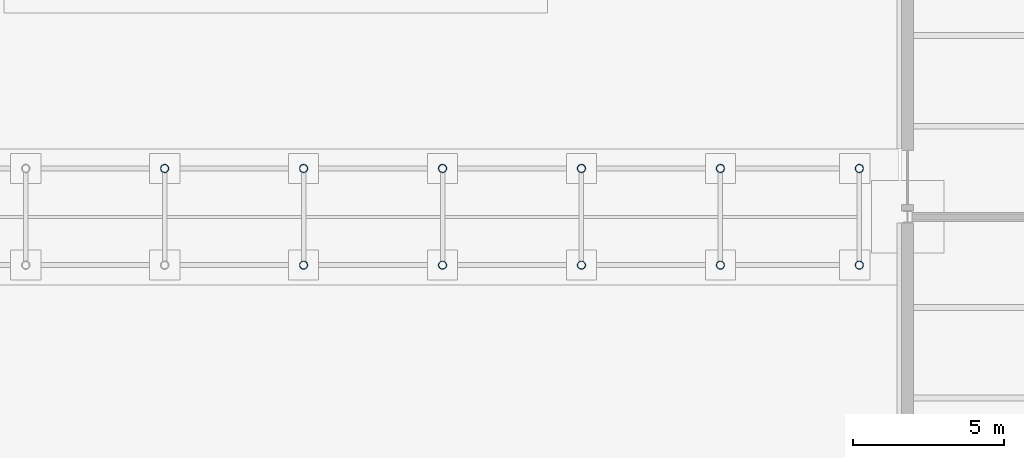
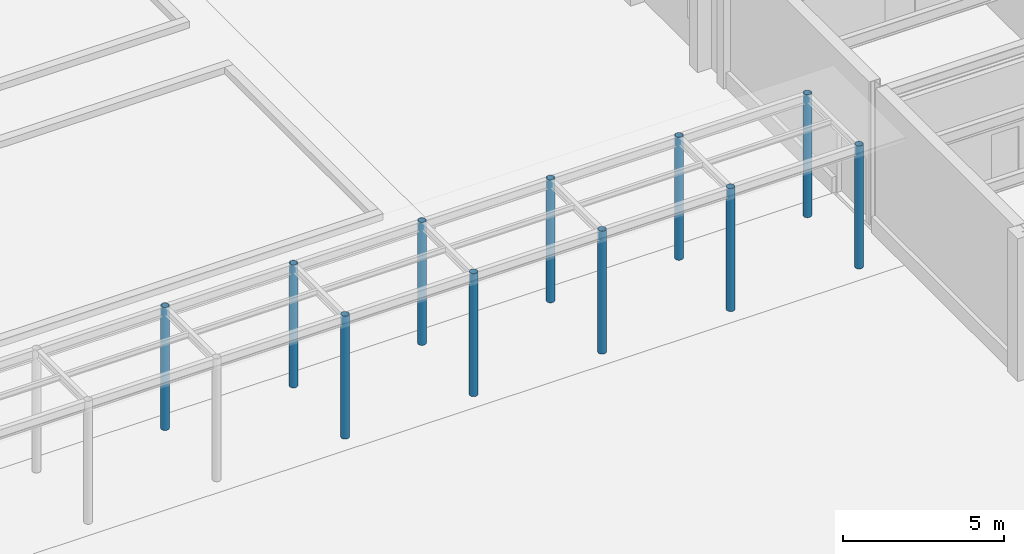
# One storey, part 6 of 126: 11 columns.
"""IFC4 building model written with IfcOpenShell, lengths in metres."""

from ifc_helpers import new_model, si_unit, direction, frame, origin, origin_2d, place, context, subcontext, project, spatial, hollow_circle, extrude, material, material_profile, profile_set, type_object, element, save


model = new_model("IFC4")

# Units and contexts
model_context = context("Model", 3, precision=1e-05, world=origin(), true_north=direction((0.0, 1.0)))
body_context = subcontext(model_context, "Body", "Model", "MODEL_VIEW")
ifc_project = project(units=[si_unit("LENGTHUNIT", "METRE"), si_unit("AREAUNIT", "SQUARE_METRE"), si_unit("VOLUMEUNIT", "CUBIC_METRE"), si_unit("PLANEANGLEUNIT", "RADIAN"), si_unit("MASSUNIT", "GRAM", prefix="KILO")], contexts=[model_context])

# Site, building, storey
site_placement = place(None, origin())
site = spatial("IfcSite", under=ifc_project, at=site_placement, CompositionType="ELEMENT")
building_placement = place(site_placement, origin())
building = spatial("IfcBuilding", under=site, at=building_placement, Name="Kallimachos Central Library", CompositionType="ELEMENT")
storey_placement = place(building_placement, origin())
storey = spatial("IfcBuildingStorey", under=building, at=storey_placement, Name="L00", CompositionType="ELEMENT", Elevation=0.0)

# Columns
ifc_material = material(Name="Steel S355J2H", Category="steel")
ifc_material_profile = material_profile(ifc_material, hollow_circle(Radius=0.136474609375, WallThickness=0.012451171875, at=origin_2d()), Name="CHS 273x12.5")
ifc_profile_set = profile_set([ifc_material_profile], Name="Steel S355J2H")
column_type = type_object("IfcColumnType", Name="CHS 273x12.5 column", PredefinedType="COLUMN", material=ifc_profile_set)
for number, where, z_axis, x_axis, name in (
    (1, (40.89990234375, 28.60009765625, 0.0), (0.0, 0.0, 1.0), (1.0, 0.0, 0.0), "Arcade A3 column"),
    (2, (45.5, 25.39990234375, 0.0), (0.0, 0.0, 1.0), (1.0, 0.0, 0.0), "Arcade A3 column"),
    (3, (45.5, 28.60009765625, 0.0), (0.0, 0.0, 1.0), (1.0, 0.0, 0.0), "Arcade A3 column"),
    (4, (50.10009765625, 25.39990234375, 0.0), (0.0, 0.0, 1.0), (1.0, 0.0, 0.0), "Arcade A3 column"),
    (5, (50.10009765625, 28.60009765625, 0.0), (0.0, 0.0, 1.0), (1.0, 0.0, 0.0), "Arcade A3 column"),
    (6, (54.699951171875, 25.39990234375, 0.0), (0.0, 0.0, 1.0), (1.0, 0.0, 0.0), "Arcade A3 column"),
    (7, (54.699951171875, 28.60009765625, 0.0), (0.0, 0.0, 1.0), (1.0, 0.0, 0.0), "Arcade A3 column"),
    (8, (59.300048828125, 25.39990234375, 0.0), (0.0, 0.0, 1.0), (1.0, 0.0, 0.0), "Arcade A3 column"),
    (9, (59.300048828125, 28.60009765625, 0.0), (0.0, 0.0, 1.0), (1.0, 0.0, 0.0), "Arcade A3 column"),
    (10, (63.89990234375, 25.39990234375, 0.0), (0.0, 0.0, 1.0), (1.0, 0.0, 0.0), "Arcade A3 column"),
    (11, (63.89990234375, 28.60009765625, 0.0), (0.0, 0.0, 1.0), (1.0, 0.0, 0.0), "Arcade A3 column"),
):
    element("IfcColumn", number, at=place(storey_placement, frame(where, z_axis=z_axis, x_axis=x_axis)), inside=storey, type_object=column_type, Name=name, PredefinedType="COLUMN", context=body_context, shape_type="SweptSolid", body=[
        extrude(hollow_circle(Radius=0.136474609375, WallThickness=0.012451171875, at=origin_2d()), origin(), (0.0, 0.0, 1.0), 4.64990234375),
    ])

save(model, "model.ifc")
